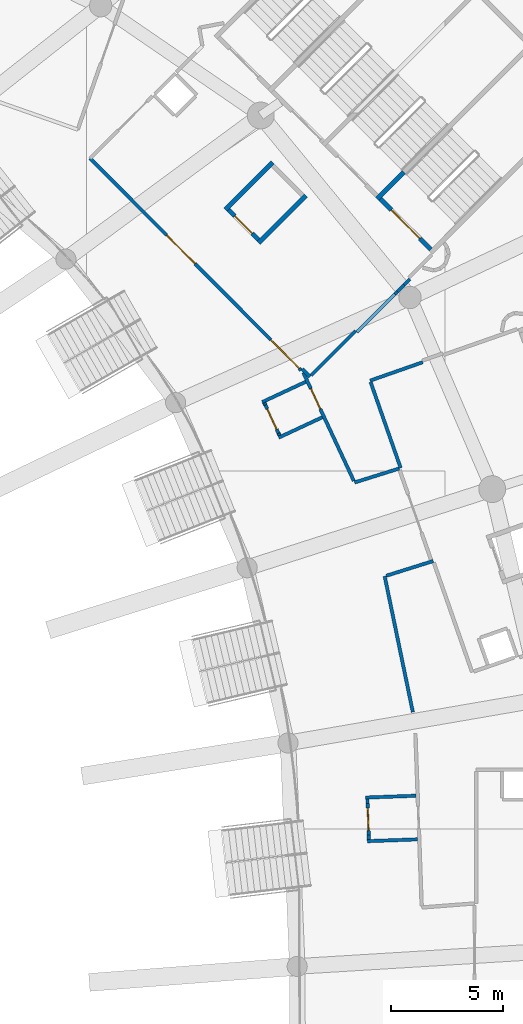
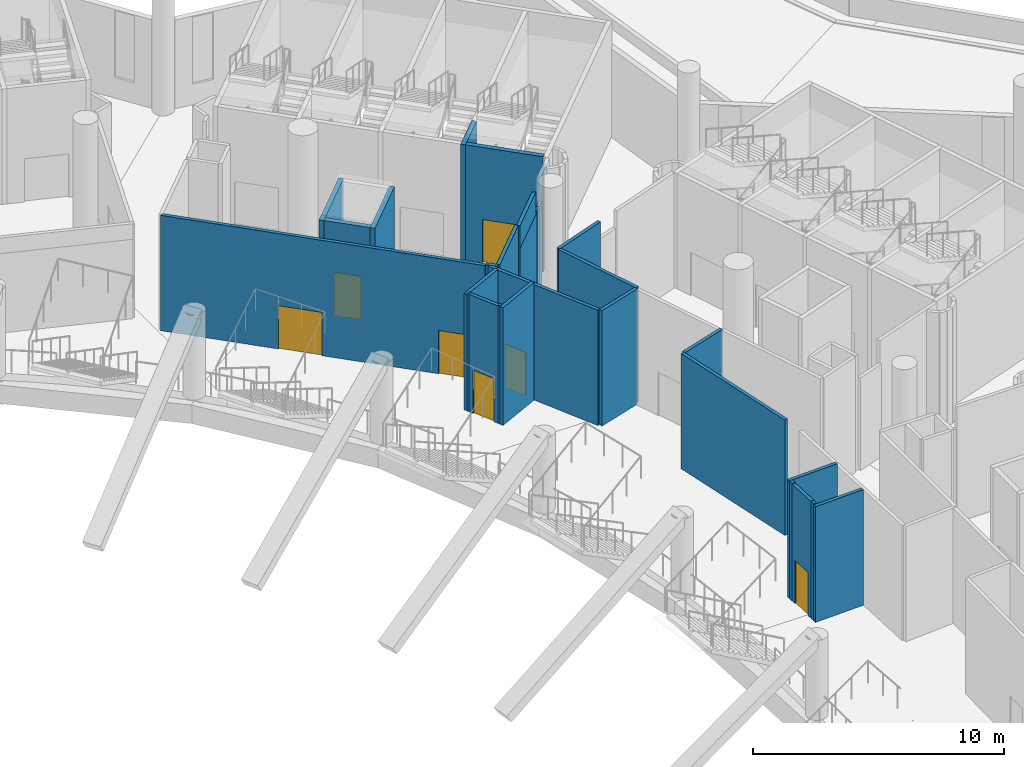
# One storey, part 70 of 173: 28 walls, 7 doors, 7 openings.
"""IFC4 building model written with IfcOpenShell, lengths in metres."""

from ifc_helpers import new_model, si_unit, direction, frame, frame_2d, origin, place, context, subcontext, project, spatial, rectangle, extrude, material, layer, layer_set, type_object, element, fill, save


model = new_model("IFC4")

# Units and contexts
model_context = context("Model", 3, precision=1e-05, world=origin(), true_north=direction((0.0, 1.0)))
body_context = subcontext(model_context, "Body", "Model", "MODEL_VIEW")
ifc_project = project(units=[si_unit("LENGTHUNIT", "METRE"), si_unit("AREAUNIT", "SQUARE_METRE"), si_unit("VOLUMEUNIT", "CUBIC_METRE"), si_unit("PLANEANGLEUNIT", "RADIAN"), si_unit("MASSUNIT", "GRAM", prefix="KILO")], contexts=[model_context])

# Site, building, storey
site_placement = place(None, origin())
site = spatial("IfcSite", under=ifc_project, at=site_placement, CompositionType="ELEMENT")
building_placement = place(site_placement, origin())
building = spatial("IfcBuilding", under=site, at=building_placement, Name="Meseta Stadium", CompositionType="ELEMENT")
storey_placement = place(building_placement, frame((0.0, 0.0, 18.0)))
storey = spatial("IfcBuildingStorey", under=building, at=storey_placement, Name="L03", CompositionType="ELEMENT", Elevation=18.0)

# Wall
ifc_material_1 = material(Name="Concrete C40/50", Category="concrete")
ifc_layer_1 = layer(ifc_material_1, 0.199951171875)
ifc_layer_set_1 = layer_set([ifc_layer_1], Name="Core divider wall 200")
wall_type_1 = type_object("IfcWallType", Name="Core divider wall 200", PredefinedType="SHEAR", material=ifc_layer_set_1)
wall_1_placement = place(storey_placement, frame((78.17333984375, 77.364990234375, 0.0), z_axis=(0.0, 0.0, 1.0), x_axis=(-0.707178586901, -0.707034968179, 0.0)))
element("IfcWall", 1, at=wall_1_placement, inside=storey, type_object=wall_type_1, Name="Core 07 L03 stair A divider wall", PredefinedType="SHEAR", context=body_context, shape_type="SweptSolid", body=[
    extrude(rectangle(XDim=1.699951171875, YDim=0.199951171875, at=frame_2d((0.85009765625, 0.0))), origin(), (0.0, 0.0, 1.0), 5.60009765625),
])

# Wall, opening, door
ifc_material_2 = material(Name="Concrete C40/50", Category="concrete")
ifc_layer_2 = layer(ifc_material_2, 0.199951171875)
ifc_layer_set_2 = layer_set([ifc_layer_2], Name="Core shaft wall 200")
wall_type_2 = type_object("IfcWallType", Name="Core shaft wall 200", PredefinedType="SHEAR", material=ifc_layer_set_2)
wall_2_placement = place(storey_placement, frame((79.37548828125, 73.900146484375, 0.0), z_axis=(0.0, 0.0, 1.0), x_axis=(-0.707068634461, 0.707144925854, 0.0)))
wall_2 = element("IfcWall", 2, at=wall_2_placement, inside=storey, type_object=wall_type_2, Name="Core 07 L03 stair A1 inner end wall", PredefinedType="SHEAR", context=body_context, shape_type="SweptSolid", body=[
    extrude(rectangle(XDim=3.2001953125, YDim=0.199951171875, at=frame_2d((1.60009765625, 0.0))), origin(), (0.0, 0.0, 1.0), 5.60009765625),
])
opening_1_placement = place(wall_2_placement, frame((0.699951171875, 0.0, 0.0)))
opening_1 = element("IfcOpeningElement", 3, at=opening_1_placement, cuts=wall_2, Name="Opening D1448", PredefinedType="OPENING", context=body_context, shape_type="SweptSolid", body=[
    extrude(rectangle(XDim=1.800048828125, YDim=2.10009765625, at=frame_2d((0.89990234375, 1.050048828125))), frame((0.0, 0.10986328125, 0.0), z_axis=(0.0, -1.0, 0.0), x_axis=(1.0, 0.0, 0.0)), (0.0, 0.0, 1.0), 0.219970703125),
])
ifc_material_3 = material(Name="Steel", Category="steel")
door_type_1 = type_object("IfcDoorType", Name="Stair door 1800x2100", OperationType="DOUBLE_DOOR_SINGLE_SWING", PredefinedType="DOOR", material=ifc_material_3)
door_1_placement = place(opening_1_placement, origin())
door_1 = element("IfcDoor", 4, at=door_1_placement, inside=storey, type_object=door_type_1, Name="Stair A1 door 07 L03", OperationType="DOUBLE_DOOR_SINGLE_SWING", OverallHeight=2.10009765625, OverallWidth=1.800048828125, PredefinedType="DOOR", context=body_context, shape_type="SweptSolid", body=[
    extrude(rectangle(XDim=1.800048828125, YDim=2.10009765625, at=frame_2d((0.89990234375, 1.050048828125))), frame((0.0, 0.02490234375, 0.0), z_axis=(0.0, -1.0, 0.0), x_axis=(1.0, 0.0, 0.0)), (0.0, 0.0, 1.0), 0.050048828125),
])
fill(opening_1, door_1)

# Walls
for number, where, z_axis, x_axis, name in (
    (5, (73.796875, 76.311767578125, 0.0), (0.0, 0.0, 1.0), (-0.707106781187, -0.707106781187, 0.0), "Core 07 L03 lift shaft wall left"),
    (6, (72.311767578125, 77.796875, 0.0), (0.0, 0.0, 1.0), (-0.707106781187, -0.707106781187, 0.0), "Core 07 L03 lift shaft wall right"),
):
    element("IfcWall", number, at=place(storey_placement, frame(where, z_axis=z_axis, x_axis=x_axis)), inside=storey, type_object=wall_type_2, Name=name, PredefinedType="SHEAR", context=body_context, shape_type="SweptSolid", body=[
        extrude(rectangle(XDim=3.0, YDim=0.199951171875, at=frame_2d((1.5, 0.0))), origin(), (0.0, 0.0, 1.0), 4.60009765625),
    ])

# Wall, opening, door
wall_3_placement = place(storey_placement, frame((71.675537109375, 74.331787109375, 0.0), z_axis=(0.0, 0.0, 1.0), x_axis=(-0.707106781187, 0.707106781187, 0.0)))
wall_3 = element("IfcWall", 7, at=wall_3_placement, inside=storey, type_object=wall_type_2, Name="Core 07 L03 lift shaft front wall", PredefinedType="SHEAR", context=body_context, shape_type="SweptSolid", body=[
    extrude(rectangle(XDim=1.900390625, YDim=0.199951171875, at=frame_2d((0.9501953125, 0.0))), origin(), (0.0, 0.0, 1.0), 4.60009765625),
])
opening_2_placement = place(wall_3_placement, frame((0.39990234375, 0.0, 0.0)))
opening_2 = element("IfcOpeningElement", 8, at=opening_2_placement, cuts=wall_3, Name="Opening LD41", PredefinedType="OPENING", context=body_context, shape_type="SweptSolid", body=[
    extrude(rectangle(XDim=1.10009765625, YDim=2.10009765625, at=frame_2d((0.550048828125, 1.050048828125))), frame((0.0, 0.10986328125, 0.0), z_axis=(0.0, -1.0, 0.0), x_axis=(1.0, 0.0, 0.0)), (0.0, 0.0, 1.0), 0.219970703125),
])
ifc_material_4 = material(Name="Steel", Category="steel")
door_type_2 = type_object("IfcDoorType", Name="Lift landing door 1100x2100", OperationType="SLIDING_TO_LEFT", PredefinedType="DOOR", material=ifc_material_4)
door_2_placement = place(opening_2_placement, origin())
door_2 = element("IfcDoor", 9, at=door_2_placement, inside=storey, type_object=door_type_2, Name="Lift landing door LD41", OperationType="SLIDING_TO_LEFT", OverallHeight=2.10009765625, OverallWidth=1.10009765625, PredefinedType="DOOR", context=body_context, shape_type="SweptSolid", body=[
    extrude(rectangle(XDim=1.10009765625, YDim=2.10009765625, at=frame_2d((0.550048828125, 1.050048828125))), frame((0.0, 0.02490234375, 0.0), z_axis=(0.0, -1.0, 0.0), x_axis=(1.0, 0.0, 0.0)), (0.0, 0.0, 1.0), 0.050048828125),
])
fill(opening_2, door_2)

# Walls
ifc_material_5 = material(Name="Masonry blockwork", Category="masonry")
ifc_layer_3 = layer(ifc_material_5, 0.14990234375)
ifc_layer_set_3 = layer_set([ifc_layer_3], Name="Partition 150")
wall_type_3 = type_object("IfcWallType", Name="Partition 150", PredefinedType="PARTITIONING", material=ifc_layer_set_3)
wall_4_placement = place(storey_placement, frame((78.572265625, 53.228515625, 0.0), z_axis=(0.0, 0.0, 1.0), x_axis=(-0.202912951915, 0.979196779991, 0.0)))
element("IfcWall", 10, at=wall_4_placement, inside=storey, type_object=wall_type_3, Name="Partition L03 L03-cell04-1-0", PredefinedType="PARTITIONING", context=body_context, shape_type="SweptSolid", body=[
    extrude(rectangle(XDim=6.19873046875, YDim=0.14990234375, at=frame_2d((3.099365234375, 0.0))), origin(), (0.0, 0.0, 1.0), 5.60009765625),
])
wall_5_placement = place(storey_placement, frame((77.386474609375, 59.32080078125, 0.0), z_axis=(0.0, 0.0, 1.0), x_axis=(0.954196869379, 0.299179435235, 0.0)))
element("IfcWall", 11, at=wall_5_placement, inside=storey, type_object=wall_type_3, Name="Partition L03 L03-cell04-1-0", PredefinedType="PARTITIONING", context=body_context, shape_type="SweptSolid", body=[
    extrude(rectangle(XDim=2.197509765625, YDim=0.14990234375, at=frame_2d((1.0986328125, 0.0))), origin(), (0.0, 0.0, 1.0), 5.60009765625),
])
wall_6_placement = place(storey_placement, frame((79.0087890625, 68.860595703125, 0.0), z_axis=(0.0, 0.0, 1.0), x_axis=(-0.943873667714, -0.330306674768, 0.0)))
element("IfcWall", 12, at=wall_6_placement, inside=storey, type_object=wall_type_3, Name="Partition L03 L03-cell05-1-0", PredefinedType="PARTITIONING", context=body_context, shape_type="SweptSolid", body=[
    extrude(rectangle(XDim=2.485595703125, YDim=0.14990234375, at=frame_2d((1.24267578125, 0.0))), origin(), (0.0, 0.0, 1.0), 5.60009765625),
])
wall_7_placement = place(storey_placement, frame((76.6875, 67.96875, 0.0), z_axis=(0.0, 0.0, 1.0), x_axis=(0.330235334568, -0.943898630046, 0.0)))
element("IfcWall", 13, at=wall_7_placement, inside=storey, type_object=wall_type_3, Name="Partition L03 L03-cell05-1-0", PredefinedType="PARTITIONING", context=body_context, shape_type="SweptSolid", body=[
    extrude(rectangle(XDim=4.063232421875, YDim=0.14990234375, at=frame_2d((2.03173828125, 0.0))), origin(), (0.0, 0.0, 1.0), 5.60009765625),
])
wall_8_placement = place(storey_placement, frame((77.957763671875, 64.111083984375, 0.0), z_axis=(0.0, 0.0, 1.0), x_axis=(-0.954210746555, -0.299135172051, 0.0)))
element("IfcWall", 14, at=wall_8_placement, inside=storey, type_object=wall_type_3, Name="Partition L03 L03-cell05-1-0", PredefinedType="PARTITIONING", context=body_context, shape_type="SweptSolid", body=[
    extrude(rectangle(XDim=2.08447265625, YDim=0.14990234375, at=frame_2d((1.042236328125, 0.0))), origin(), (0.0, 0.0, 1.0), 5.60009765625),
])

# Wall, opening, door
wall_9_placement = place(storey_placement, frame((75.936767578125, 63.55615234375, 0.0), z_axis=(0.0, 0.0, 1.0), x_axis=(-0.422630512429, 0.906302074346, 0.0)))
wall_9 = element("IfcWall", 15, at=wall_9_placement, inside=storey, type_object=wall_type_3, Name="Partition L03 L03-cell05-1-0", PredefinedType="PARTITIONING", context=body_context, shape_type="SweptSolid", body=[
    extrude(rectangle(XDim=5.347412109375, YDim=0.14990234375, at=frame_2d((2.673828125, 0.0))), origin(), (0.0, 0.0, 1.0), 5.60009765625),
])
opening_3_placement = place(wall_9_placement, frame((3.550048828125, 0.0, 0.0)))
opening_3 = element("IfcOpeningElement", 16, at=opening_3_placement, cuts=wall_9, Name="Opening D1439", PredefinedType="OPENING", context=body_context, shape_type="SweptSolid", body=[
    extrude(rectangle(XDim=1.0, YDim=2.10009765625, at=frame_2d((0.5, 1.050048828125))), frame((0.0, 0.0849609375, 0.0), z_axis=(0.0, -1.0, 0.0), x_axis=(1.0, 0.0, 0.0)), (0.0, 0.0, 1.0), 0.169921875),
])
ifc_material_6 = material(Name="Steel", Category="steel")
door_type_3 = type_object("IfcDoorType", Name="Fire door 1000x2100 EI2 60", OperationType="NOTDEFINED", PredefinedType="DOOR", material=ifc_material_6)
door_3_placement = place(opening_3_placement, frame((1.0, 0.0, 0.0), z_axis=(0.0, 0.0, 1.0), x_axis=(-1.0, 0.0, 0.0)))
door_3 = element("IfcDoor", 17, at=door_3_placement, inside=storey, type_object=door_type_3, Name="Room door L03 L03-cell05-1-0", OperationType="SINGLE_SWING_LEFT", OverallHeight=2.10009765625, OverallWidth=1.0, PredefinedType="DOOR", context=body_context, shape_type="SweptSolid", body=[
    extrude(rectangle(XDim=1.0, YDim=2.10009765625, at=frame_2d((0.5, 1.050048828125))), frame((0.0, 0.02490234375, 0.0), z_axis=(0.0, -1.0, 0.0), x_axis=(1.0, 0.0, 0.0)), (0.0, 0.0, 1.0), 0.050048828125),
])
fill(opening_3, door_3)

# Walls
wall_10_placement = place(storey_placement, frame((73.63525390625, 68.5537109375, 0.0), z_axis=(0.0, 0.0, 1.0), x_axis=(0.707106781187, -0.707106781187, 0.0)))
element("IfcWall", 18, at=wall_10_placement, inside=storey, type_object=wall_type_3, Name="Partition L03 L03-cell05-1-0", PredefinedType="PARTITIONING", context=body_context, shape_type="SweptSolid", body=[
    extrude(rectangle(XDim=0.478271484375, YDim=0.14990234375, at=frame_2d((0.2392578125, 0.0))), origin(), (0.0, 0.0, 1.0), 5.60009765625),
])
wall_11_placement = place(storey_placement, frame((74.026611328125, 68.2685546875, 0.0), z_axis=(0.0, 0.0, 1.0), x_axis=(0.707106781187, 0.707106781187, 0.0)))
element("IfcWall", 19, at=wall_11_placement, inside=storey, type_object=wall_type_3, Name="Partition L03 L03-cell05-1-0", PredefinedType="PARTITIONING", context=body_context, shape_type="SweptSolid", body=[
    extrude(rectangle(XDim=2.812255859375, YDim=0.14990234375, at=frame_2d((1.40625, 0.0))), origin(), (0.0, 0.0, 1.0), 5.60009765625),
])

# Wall, openings, doors
wall_12_placement = place(storey_placement, frame((64.152099609375, 77.9736328125, 0.0), z_axis=(0.0, 0.0, 1.0), x_axis=(0.705496399325, -0.70871350385, 0.0)))
wall_12 = element("IfcWall", 20, at=wall_12_placement, inside=storey, type_object=wall_type_3, Name="Stair vestibule wall L03 core 07", PredefinedType="PARTITIONING", context=body_context, shape_type="SweptSolid", body=[
    extrude(rectangle(XDim=13.3564453125, YDim=0.14990234375, at=frame_2d((6.67822265625, 0.0))), origin(), (0.0, 0.0, 1.0), 5.60009765625),
])
opening_4_placement = place(wall_12_placement, frame((4.85009765625, 0.0, 0.0)))
opening_4 = element("IfcOpeningElement", 21, at=opening_4_placement, cuts=wall_12, Name="Opening D1429", PredefinedType="OPENING", context=body_context, shape_type="SweptSolid", body=[
    extrude(rectangle(XDim=1.800048828125, YDim=2.10009765625, at=frame_2d((0.89990234375, 1.050048828125))), frame((0.0, 0.0849609375, 0.0), z_axis=(0.0, -1.0, 0.0), x_axis=(1.0, 0.0, 0.0)), (0.0, 0.0, 1.0), 0.169921875),
])
opening_5_placement = place(wall_12_placement, frame((11.449951171875, 0.0, 0.0)))
opening_5 = element("IfcOpeningElement", 22, at=opening_5_placement, cuts=wall_12, Name="Opening D1435", PredefinedType="OPENING", context=body_context, shape_type="SweptSolid", body=[
    extrude(rectangle(XDim=1.800048828125, YDim=2.10009765625, at=frame_2d((0.89990234375, 1.050048828125))), frame((0.0, 0.0849609375, 0.0), z_axis=(0.0, -1.0, 0.0), x_axis=(1.0, 0.0, 0.0)), (0.0, 0.0, 1.0), 0.169921875),
])
ifc_material_7 = material(Name="Steel", Category="steel")
door_type_4 = type_object("IfcDoorType", Name="Fire double door 1800x2100 EI2 60", OperationType="DOUBLE_DOOR_SINGLE_SWING", PredefinedType="DOOR", material=ifc_material_7)
door_4_placement = place(opening_4_placement, origin())
door_4 = element("IfcDoor", 23, at=door_4_placement, inside=storey, type_object=door_type_4, Name="Stair vestibule door L03 core 07", OperationType="DOUBLE_DOOR_SINGLE_SWING", OverallHeight=2.10009765625, OverallWidth=1.800048828125, PredefinedType="DOOR", context=body_context, shape_type="SweptSolid", body=[
    extrude(rectangle(XDim=1.800048828125, YDim=2.10009765625, at=frame_2d((0.89990234375, 1.050048828125))), frame((0.0, 0.02490234375, 0.0), z_axis=(0.0, -1.0, 0.0), x_axis=(1.0, 0.0, 0.0)), (0.0, 0.0, 1.0), 0.050048828125),
])
fill(opening_4, door_4)
door_5_placement = place(opening_5_placement, origin())
door_5 = element("IfcDoor", 24, at=door_5_placement, inside=storey, type_object=door_type_4, Name="Stair vestibule door L03 core 07", OperationType="DOUBLE_DOOR_SINGLE_SWING", OverallHeight=2.10009765625, OverallWidth=1.800048828125, PredefinedType="DOOR", context=body_context, shape_type="SweptSolid", body=[
    extrude(rectangle(XDim=1.800048828125, YDim=2.10009765625, at=frame_2d((0.89990234375, 1.050048828125))), frame((0.0, 0.02490234375, 0.0), z_axis=(0.0, -1.0, 0.0), x_axis=(1.0, 0.0, 0.0)), (0.0, 0.0, 1.0), 0.050048828125),
])
fill(opening_5, door_5)

# Walls
wall_13_placement = place(storey_placement, frame((76.0751953125, 70.211181640625, 0.0), z_axis=(0.0, 0.0, 1.0), x_axis=(0.707106781187, 0.707106781187, 0.0)))
element("IfcWall", 25, at=wall_13_placement, inside=storey, type_object=wall_type_3, Name="Stair vestibule wall L03 core 07", PredefinedType="PARTITIONING", context=body_context, shape_type="SweptSolid", body=[
    extrude(rectangle(XDim=2.55810546875, YDim=0.14990234375, at=frame_2d((1.279052734375, 0.0))), origin(), (0.0, 0.0, 1.0), 4.5),
])
wall_14_placement = place(storey_placement, frame((78.181396484375, 72.3173828125, 0.0), z_axis=(0.0, 0.0, 1.0), x_axis=(0.707436665332, 0.70677674307, 0.0)))
element("IfcWall", 26, at=wall_14_placement, inside=storey, type_object=wall_type_3, Name="Stair vestibule wall L03 core 07", PredefinedType="PARTITIONING", context=body_context, shape_type="SweptSolid", body=[
    extrude(rectangle(XDim=0.369873046875, YDim=0.14990234375, at=frame_2d((0.18505859375, 0.0))), origin(), (0.0, 0.0, 1.0), 4.5),
])
wall_15_placement = place(storey_placement, frame((76.0751953125, 70.211181640625, 4.5), z_axis=(0.0, 0.0, 1.0), x_axis=(0.707157815561, 0.707055743128, 0.0)))
element("IfcWall", 27, at=wall_15_placement, inside=storey, type_object=wall_type_3, Name="Stair vestibule wall L03 core 07", PredefinedType="PARTITIONING", context=body_context, shape_type="SweptSolid", body=[
    extrude(rectangle(XDim=2.391845703125, YDim=0.14990234375, at=frame_2d((1.19580078125, 0.0))), origin(), (0.0, 0.0, 1.0), 1.10009765625),
])
wall_16_placement = place(storey_placement, frame((77.884033203125, 72.02001953125, 0.0), z_axis=(0.0, 0.0, 1.0), x_axis=(0.707106781187, 0.707106781187, 0.0)))
element("IfcWall", 28, at=wall_16_placement, inside=storey, type_object=wall_type_3, Name="Stair vestibule wall L03 core 07", PredefinedType="PARTITIONING", context=body_context, shape_type="SweptSolid", body=[
    extrude(rectangle(XDim=0.420654296875, YDim=0.14990234375, at=frame_2d((0.21044921875, 0.0))), origin(), (0.0, 0.0, 1.0), 4.5),
])
wall_17_placement = place(storey_placement, frame((78.78369140625, 47.541015625, 0.0), z_axis=(0.0, 0.0, 1.0), x_axis=(-0.999343075339, -0.036241106098, 0.0)))
element("IfcWall", 29, at=wall_17_placement, inside=storey, type_object=wall_type_3, Name="Partition L03 L03-cell04-1-0 vestibule", PredefinedType="PARTITIONING", context=body_context, shape_type="SweptSolid", body=[
    extrude(rectangle(XDim=2.25, YDim=0.14990234375, at=frame_2d((1.125, 0.0))), origin(), (0.0, 0.0, 1.0), 5.6181640625),
])
wall_18_placement = place(storey_placement, frame((78.712890625, 49.48974609375, 0.0), z_axis=(0.0, 0.0, 1.0), x_axis=(-0.999343075339, -0.036241106098, 0.0)))
element("IfcWall", 30, at=wall_18_placement, inside=storey, type_object=wall_type_3, Name="Partition L03 L03-cell04-1-0 vestibule", PredefinedType="PARTITIONING", context=body_context, shape_type="SweptSolid", body=[
    extrude(rectangle(XDim=2.25, YDim=0.14990234375, at=frame_2d((1.125, 0.0))), origin(), (0.0, 0.0, 1.0), 5.715576171875),
])
wall_19_placement = place(storey_placement, frame((76.607421875, 47.537109375, 0.0), z_axis=(0.0, 0.0, 1.0), x_axis=(-0.036650176892, 0.99932815658, 0.0)))
element("IfcWall", 31, at=wall_19_placement, inside=storey, type_object=wall_type_3, Name="Partition L03 L03-cell04-1-0 vestibule", PredefinedType="PARTITIONING", context=body_context, shape_type="SweptSolid", body=[
    extrude(rectangle(XDim=0.199951171875, YDim=0.14990234375, at=frame_2d((0.10009765625, 0.0))), origin(), (0.0, 0.0, 1.0), 5.668701171875),
])

# Wall, opening, door
wall_20_placement = place(storey_placement, frame((76.60009765625, 47.73681640625, 0.0), z_axis=(0.0, 0.0, 1.0), x_axis=(-0.036269960205, 0.99934202853, 0.0)))
wall_20 = element("IfcWall", 32, at=wall_20_placement, inside=storey, type_object=wall_type_3, Name="Partition L03 L03-cell04-1-0 vestibule", PredefinedType="PARTITIONING", context=body_context, shape_type="SweptSolid", body=[
    extrude(rectangle(XDim=1.400146484375, YDim=0.14990234375, at=frame_2d((0.7001953125, 0.0))), origin(), (0.0, 0.0, 1.0), 5.678955078125),
])
opening_6_placement = place(wall_20_placement, frame((0.199951171875, 0.0, 0.0)))
opening_6 = element("IfcOpeningElement", 33, at=opening_6_placement, cuts=wall_20, Name="Opening D1444", PredefinedType="OPENING", context=body_context, shape_type="SweptSolid", body=[
    extrude(rectangle(XDim=1.0, YDim=2.10009765625, at=frame_2d((0.5, 1.050048828125))), frame((0.0, 0.0849609375, 0.0), z_axis=(0.0, -1.0, 0.0), x_axis=(1.0, 0.0, 0.0)), (0.0, 0.0, 1.0), 0.169921875),
])
door_6_placement = place(opening_6_placement, origin())
door_6 = element("IfcDoor", 34, at=door_6_placement, inside=storey, type_object=door_type_3, Name="Vestibule door L03 L03-cell04-1-0", OperationType="SINGLE_SWING_LEFT", OverallHeight=2.10009765625, OverallWidth=1.0, PredefinedType="DOOR", context=body_context, shape_type="SweptSolid", body=[
    extrude(rectangle(XDim=1.0, YDim=2.10009765625, at=frame_2d((0.5, 1.050048828125))), frame((0.0, 0.02490234375, 0.0), z_axis=(0.0, -1.0, 0.0), x_axis=(1.0, 0.0, 0.0)), (0.0, 0.0, 1.0), 0.050048828125),
])
fill(opening_6, door_6)

# Walls
wall_21_placement = place(storey_placement, frame((76.54931640625, 49.135986328125, 0.0), z_axis=(0.0, 0.0, 1.0), x_axis=(-0.036605486981, 0.999329794574, 0.0)))
element("IfcWall", 35, at=wall_21_placement, inside=storey, type_object=wall_type_3, Name="Partition L03 L03-cell04-1-0 vestibule", PredefinedType="PARTITIONING", context=body_context, shape_type="SweptSolid", body=[
    extrude(rectangle(XDim=0.2001953125, YDim=0.14990234375, at=frame_2d((0.10009765625, 0.0))), origin(), (0.0, 0.0, 1.0), 5.715576171875),
])
wall_22_placement = place(storey_placement, frame((74.52685546875, 66.40185546875, 0.0), z_axis=(0.0, 0.0, 1.0), x_axis=(-0.906290450236, -0.422655438639, 0.0)))
element("IfcWall", 36, at=wall_22_placement, inside=storey, type_object=wall_type_3, Name="Partition L03 L03-cell05-1-0 vestibule", PredefinedType="PARTITIONING", context=body_context, shape_type="SweptSolid", body=[
    extrude(rectangle(XDim=2.14990234375, YDim=0.14990234375, at=frame_2d((1.074951171875, 0.0))), origin(), (0.0, 0.0, 1.0), 5.712890625),
])
wall_23_placement = place(storey_placement, frame((73.787353515625, 67.98779296875, 0.0), z_axis=(0.0, 0.0, 1.0), x_axis=(-0.906290450236, -0.422655438639, 0.0)))
element("IfcWall", 37, at=wall_23_placement, inside=storey, type_object=wall_type_3, Name="Partition L03 L03-cell05-1-0 vestibule", PredefinedType="PARTITIONING", context=body_context, shape_type="SweptSolid", body=[
    extrude(rectangle(XDim=2.14990234375, YDim=0.14990234375, at=frame_2d((1.074951171875, 0.0))), origin(), (0.0, 0.0, 1.0), 5.646484375),
])
wall_24_placement = place(storey_placement, frame((72.61474609375, 65.593017578125, 0.0), z_axis=(0.0, 0.0, 1.0), x_axis=(-0.422617978463, 0.906307919131, 0.0)))
element("IfcWall", 38, at=wall_24_placement, inside=storey, type_object=wall_type_3, Name="Partition L03 L03-cell05-1-0 vestibule", PredefinedType="PARTITIONING", context=body_context, shape_type="SweptSolid", body=[
    extrude(rectangle(XDim=0.099853515625, YDim=0.14990234375, at=frame_2d((0.0498046875, 0.0))), origin(), (0.0, 0.0, 1.0), 5.742919921875),
])

# Wall, opening, door
wall_25_placement = place(storey_placement, frame((72.572509765625, 65.68359375, 0.0), z_axis=(0.0, 0.0, 1.0), x_axis=(-0.422704073219, 0.906267767541, 0.0)))
wall_25 = element("IfcWall", 39, at=wall_25_placement, inside=storey, type_object=wall_type_3, Name="Partition L03 L03-cell05-1-0 vestibule", PredefinedType="PARTITIONING", context=body_context, shape_type="SweptSolid", body=[
    extrude(rectangle(XDim=1.400146484375, YDim=0.14990234375, at=frame_2d((0.7001953125, 0.0))), origin(), (0.0, 0.0, 1.0), 5.699951171875),
])
opening_7_placement = place(wall_25_placement, frame((0.199951171875, 0.0, 0.0)))
opening_7 = element("IfcOpeningElement", 40, at=opening_7_placement, cuts=wall_25, Name="Opening D1433", PredefinedType="OPENING", context=body_context, shape_type="SweptSolid", body=[
    extrude(rectangle(XDim=1.0, YDim=2.10009765625, at=frame_2d((0.5, 1.050048828125))), frame((0.0, 0.0849609375, 0.0), z_axis=(0.0, -1.0, 0.0), x_axis=(1.0, 0.0, 0.0)), (0.0, 0.0, 1.0), 0.169921875),
])
door_7_placement = place(opening_7_placement, origin())
door_7 = element("IfcDoor", 41, at=door_7_placement, inside=storey, type_object=door_type_3, Name="Vestibule door L03 L03-cell05-1-0", OperationType="SINGLE_SWING_RIGHT", OverallHeight=2.10009765625, OverallWidth=1.0, PredefinedType="DOOR", context=body_context, shape_type="SweptSolid", body=[
    extrude(rectangle(XDim=1.0, YDim=2.10009765625, at=frame_2d((0.5, 1.050048828125))), frame((0.0, 0.02490234375, 0.0), z_axis=(0.0, -1.0, 0.0), x_axis=(1.0, 0.0, 0.0)), (0.0, 0.0, 1.0), 0.050048828125),
])
fill(opening_7, door_7)

# Wall
wall_26_placement = place(storey_placement, frame((71.980712890625, 66.952392578125, 0.0), z_axis=(0.0, 0.0, 1.0), x_axis=(-0.422617978463, 0.906307919131, 0.0)))
element("IfcWall", 42, at=wall_26_placement, inside=storey, type_object=wall_type_3, Name="Partition L03 L03-cell05-1-0 vestibule", PredefinedType="PARTITIONING", context=body_context, shape_type="SweptSolid", body=[
    extrude(rectangle(XDim=0.099853515625, YDim=0.14990234375, at=frame_2d((0.0498046875, 0.0))), origin(), (0.0, 0.0, 1.0), 5.6962890625),
])

save(model, "model.ifc")
